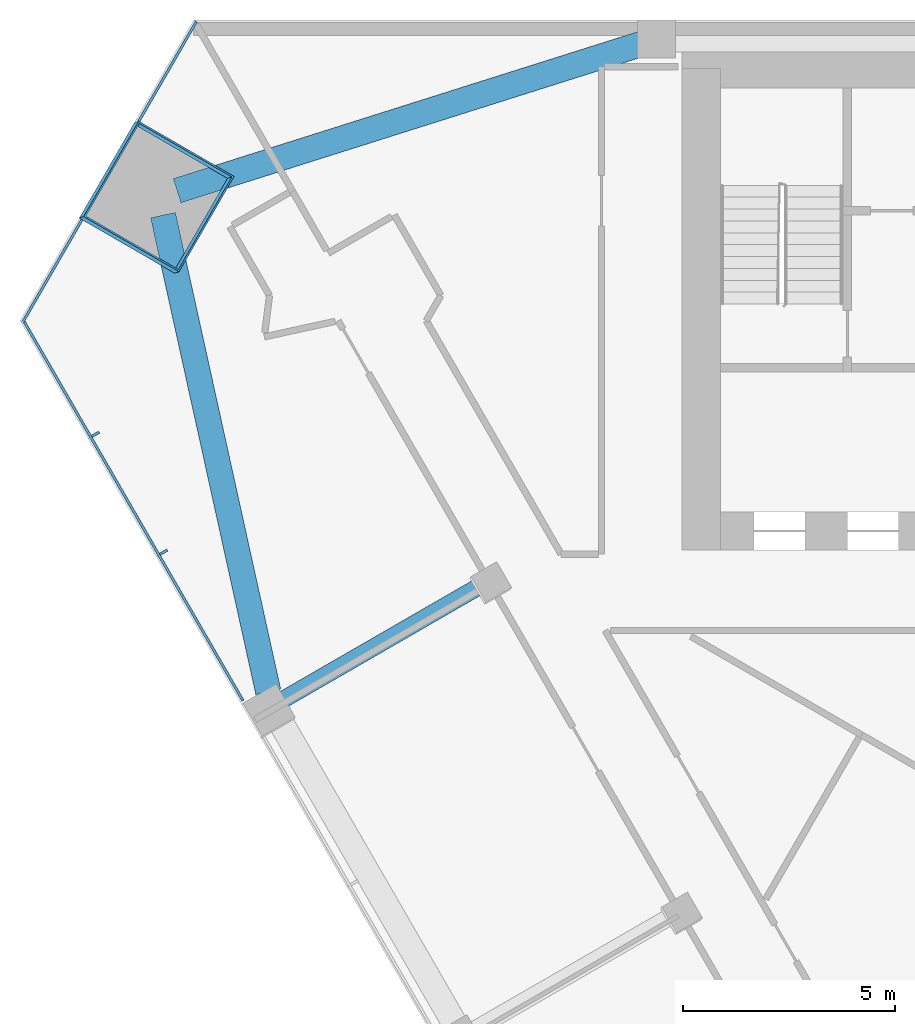
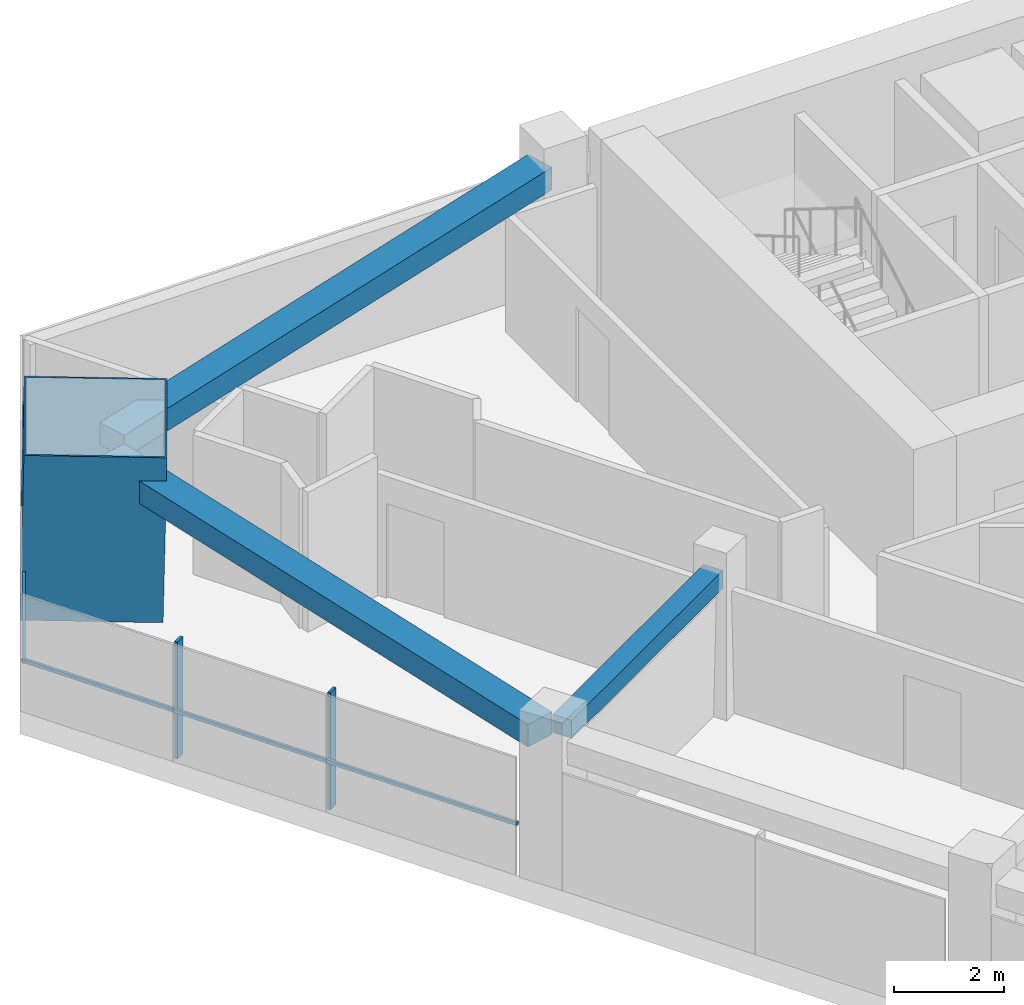
# One storey, part 5 of 14: 6 members, 3 beams, 2 elements without a shape of their own.
"""IFC4 building model written with IfcOpenShell, lengths in metres."""

from ifc_helpers import new_model, si_unit, direction, frame, origin, origin_2d, place, context, subcontext, project, spatial, rectangle, hollow_rectangle, extrude, material, layer, layer_set, material_profile, profile_set, type_object, element, aggregate, save


model = new_model("IFC4")

# Units and contexts
model_context = context("Model", 3, precision=1e-05, world=origin(), true_north=direction((0.0, 1.0)))
body_context = subcontext(model_context, "Body", "Model", "MODEL_VIEW")
ifc_project = project(units=[si_unit("LENGTHUNIT", "METRE"), si_unit("AREAUNIT", "SQUARE_METRE"), si_unit("VOLUMEUNIT", "CUBIC_METRE"), si_unit("PLANEANGLEUNIT", "RADIAN"), si_unit("MASSUNIT", "GRAM", prefix="KILO")], contexts=[model_context])

# Site, building, storey
site_placement = place(None, origin())
site = spatial("IfcSite", under=ifc_project, at=site_placement, CompositionType="ELEMENT")
building_placement = place(site_placement, origin())
building = spatial("IfcBuilding", under=site, at=building_placement, Name="Altiplano Prism Tower", CompositionType="ELEMENT")
storey_placement = place(building_placement, frame((0.0, 0.0, 111.60009765625)))
storey = spatial("IfcBuildingStorey", under=building, at=storey_placement, Name="L28", CompositionType="ELEMENT", Elevation=111.60009765625)

# Curtain wall, members
ifc_material_1 = material(Name="Aluminium and glass", Category="aluminium")
ifc_layer = layer(ifc_material_1, 0.303955078125)
ifc_layer_set = layer_set([ifc_layer], Name="Aluminium and glass")
curtain_wall_type = type_object("IfcCurtainWallType", Name="CW2 lounge-band unitised glazing", PredefinedType="NOTDEFINED", material=ifc_layer_set)
curtain_wall_1_placement = place(storey_placement, origin())
curtain_wall_1 = element("IfcCurtainWall", 1, at=curtain_wall_1_placement, inside=storey, type_object=curtain_wall_type, Name="CW2 curtain wall south-west face L28", PredefinedType="NOTDEFINED")
ifc_material_2 = material(Name="Aluminium", Category="aluminium")
ifc_material_profile_1 = material_profile(ifc_material_2, rectangle(XDim=0.199951171875, YDim=0.06005859375, at=origin_2d()), Name="CW2 mullion 60 x 200")
ifc_profile_set_1 = profile_set([ifc_material_profile_1], Name="Aluminium")
member_type_1 = type_object("IfcMemberType", Name="CW2 mullion 60 x 200", PredefinedType="MULLION", material=ifc_profile_set_1)
member_1_placement = place(storey_placement, frame((58.264404296875, 95.227294921875, 0.0), z_axis=(0.0, 0.0, 1.0), x_axis=(0.866025408698, 0.49999999149, 0.0)))
member_1 = element("IfcMember", 2, at=member_1_placement, type_object=member_type_1, Name="CW2 mullion", PredefinedType="MULLION", context=body_context, shape_type="SweptSolid", body=[
    extrude(rectangle(XDim=0.199951171875, YDim=0.06005859375, at=origin_2d()), origin(), (0.0, 0.0, 1.0), 2.599853515625),
])
member_2_placement = place(storey_placement, frame((59.869873046875, 92.4462890625, 0.0), z_axis=(0.0, 0.0, 1.0), x_axis=(0.866025408698, 0.49999999149, 0.0)))
member_2 = element("IfcMember", 3, at=member_2_placement, type_object=member_type_1, Name="CW2 mullion", PredefinedType="MULLION", context=body_context, shape_type="SweptSolid", body=[
    extrude(rectangle(XDim=0.199951171875, YDim=0.06005859375, at=origin_2d()), origin(), (0.0, 0.0, 1.0), 2.599853515625),
])

curtain_wall_2_placement = place(storey_placement, origin())
curtain_wall_2 = element("IfcCurtainWall", 4, at=curtain_wall_2_placement, inside=storey, type_object=curtain_wall_type, Name="CW2 curtain wall north-west chamfer L28", PredefinedType="NOTDEFINED")
ifc_material_profile_2 = material_profile(ifc_material_2, rectangle(XDim=0.06005859375, YDim=0.080078125, at=origin_2d()), Name="CW2 transom 80 x 60")
ifc_profile_set_2 = profile_set([ifc_material_profile_2], Name="Aluminium")
member_type_2 = type_object("IfcMemberType", Name="CW2 transom 80 x 60", PredefinedType="USERDEFINED", material=ifc_profile_set_2)
member_3_placement = place(storey_placement, frame((60.641845703125, 104.962890625, 1.099853515625), z_axis=(-0.500025948863, -0.866010421683, 0.0), x_axis=(0.866010421683, -0.500025948863, 0.0)))
member_3 = element("IfcMember", 5, at=member_3_placement, type_object=member_type_2, Name="CW2 transom", ObjectType="TRANSOM", PredefinedType="USERDEFINED", context=body_context, shape_type="SweptSolid", body=[
    extrude(rectangle(XDim=0.06005859375, YDim=0.080078125, at=origin_2d()), origin(), (0.0, 0.0, 1.0), 2.715576171875),
])
member_4_placement = place(storey_placement, frame((57.94384765625, 100.290283203125, 1.099853515625), z_axis=(-0.499961839574, -0.866047434595, 0.0), x_axis=(0.866047434595, -0.499961839574, 0.0)))
member_4 = element("IfcMember", 6, at=member_4_placement, type_object=member_type_2, Name="CW2 transom", ObjectType="TRANSOM", PredefinedType="USERDEFINED", context=body_context, shape_type="SweptSolid", body=[
    extrude(rectangle(XDim=0.06005859375, YDim=0.080078125, at=origin_2d()), origin(), (0.0, 0.0, 1.0), 2.795654296875),
])
aggregate(curtain_wall_2, [member_3, member_4])

# Member
member_5_placement = place(storey_placement, frame((56.546142578125, 97.943115234375, 1.099853515625), z_axis=(0.50000713497, -0.866021284369, 0.0), x_axis=(0.866021284369, 0.50000713497, 0.0)))
member_5 = element("IfcMember", 7, at=member_5_placement, type_object=member_type_2, Name="CW2 transom", ObjectType="TRANSOM", PredefinedType="USERDEFINED", context=body_context, shape_type="SweptSolid", body=[
    extrude(rectangle(XDim=0.06005859375, YDim=0.080078125, at=origin_2d()), origin(), (0.0, 0.0, 1.0), 10.392822265625),
])

aggregate(curtain_wall_1, [member_1, member_2, member_5])

# Beams
ifc_material_3 = material(Name="Concrete C60/75", Category="concrete")
ifc_material_profile_3 = material_profile(ifc_material_3, rectangle(XDim=0.60009765625, YDim=0.5, at=origin_2d()), Name="Edge beam 600x500")
ifc_profile_set_3 = profile_set([ifc_material_profile_3], Name="Concrete C60/75")
beam_type_1 = type_object("IfcBeamType", Name="Edge beam 600x500", PredefinedType="SPANDREL", material=ifc_profile_set_3)
beam_1_placement = place(storey_placement, frame((71.164306640625, 104.44384765625, 2.849853515625), z_axis=(-0.953453743667, -0.301539315325, 0.0), x_axis=(0.301539315325, -0.953453743667, 0.0)))
element("IfcBeam", 8, at=beam_1_placement, inside=storey, type_object=beam_type_1, Name="Edge beam P04-M0 L29", PredefinedType="SPANDREL", context=body_context, shape_type="SweptSolid", body=[
    extrude(rectangle(XDim=0.60009765625, YDim=0.5, at=origin_2d()), origin(), (0.0, 0.0, 1.0), 11.51318359375),
])
beam_2_placement = place(storey_placement, frame((59.85498046875, 100.39697265625, 2.849853515625), z_axis=(0.21558985642, -0.976484005916, 0.0), x_axis=(0.976484005916, 0.21558985642, 0.0)))
element("IfcBeam", 9, at=beam_2_placement, inside=storey, type_object=beam_type_1, Name="Edge beam M0-P11 L29", PredefinedType="SPANDREL", context=body_context, shape_type="SweptSolid", body=[
    extrude(rectangle(XDim=0.60009765625, YDim=0.5, at=origin_2d()), origin(), (0.0, 0.0, 1.0), 11.513427734375),
])

# Member
ifc_material_4 = material(Name="Steel S460", Category="steel")
ifc_material_profile_4 = material_profile(ifc_material_4, hollow_rectangle(XDim=2.60009765625, YDim=2.60009765625, WallThickness=0.0400390625, at=origin_2d()), Name="Mega column tube 2600")
ifc_profile_set_4 = profile_set([ifc_material_profile_4], Name="Steel S460")
member_type_3 = type_object("IfcMemberType", Name="Mega column tube 2600", PredefinedType="POST", material=ifc_profile_set_4)
member_6_placement = place(storey_placement, frame((59.65576171875, 100.80322265625, 0.0), z_axis=(0.028336004223, 0.009219369795, 0.999555938447), x_axis=(-0.865474489421, 0.500556866764, 0.019918114798)))
element("IfcMember", 10, at=member_6_placement, inside=storey, type_object=member_type_3, Name="Mega column tube M0 L28", PredefinedType="POST", context=body_context, shape_type="SweptSolid", body=[
    extrude(hollow_rectangle(XDim=2.60009765625, YDim=2.60009765625, WallThickness=0.0400390625, at=origin_2d()), origin(), (0.0, 0.0, 1.0), 3.6015625),
])

# Beam
ifc_material_profile_5 = material_profile(ifc_material_3, rectangle(XDim=0.39990234375, YDim=0.39990234375, at=origin_2d()), Name="Tie beam 400x400")
ifc_profile_set_5 = profile_set([ifc_material_profile_5], Name="Concrete C60/75")
beam_type_2 = type_object("IfcBeamType", Name="Tie beam 400x400", PredefinedType="BEAM", material=ifc_profile_set_5)
beam_3_placement = place(storey_placement, frame((67.453125, 91.720703125, 2.89990234375), z_axis=(-0.866031549307, -0.499989355492, 0.0), x_axis=(0.499989355492, -0.866031549307, 0.0)))
element("IfcBeam", 11, at=beam_3_placement, inside=storey, type_object=beam_type_2, Name="Tie beam I11 L29", PredefinedType="BEAM", context=body_context, shape_type="SweptSolid", body=[
    extrude(rectangle(XDim=0.39990234375, YDim=0.39990234375, at=origin_2d()), origin(), (0.0, 0.0, 1.0), 5.48974609375),
])

save(model, "model.ifc")
